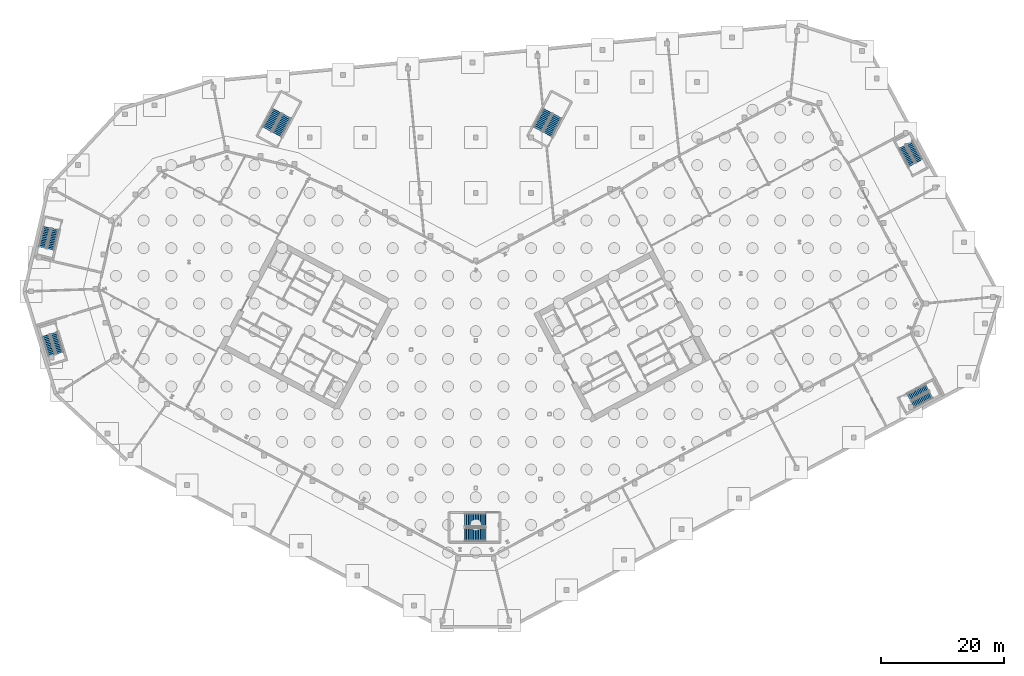
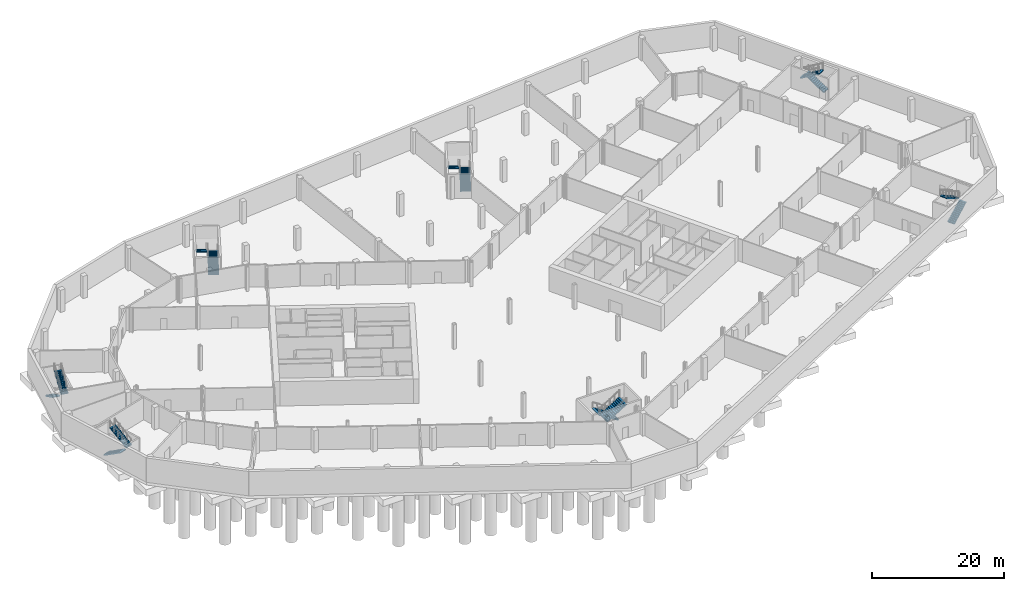
# One storey, part 21 of 29: 14 stair flights, 7 elements without a shape of their own.
"""IFC4 building model written with IfcOpenShell, lengths in metres."""

from ifc_helpers import new_model, si_unit, direction, frame, origin, place, context, subcontext, project, spatial, polyline, outline, extrude, material, layer, layer_set, type_object, element, aggregate, save


model = new_model("IFC4")

# Units and contexts
model_context = context("Model", 3, precision=1e-05, world=origin(), true_north=direction((0.0, 1.0)))
body_context = subcontext(model_context, "Body", "Model", "MODEL_VIEW")
ifc_project = project(units=[si_unit("LENGTHUNIT", "METRE"), si_unit("AREAUNIT", "SQUARE_METRE"), si_unit("VOLUMEUNIT", "CUBIC_METRE"), si_unit("PLANEANGLEUNIT", "RADIAN"), si_unit("MASSUNIT", "GRAM", prefix="KILO")], contexts=[model_context])

# Site, building, storey
site_placement = place(None, origin())
site = spatial("IfcSite", under=ifc_project, at=site_placement, CompositionType="ELEMENT")
building_placement = place(site_placement, origin())
building = spatial("IfcBuilding", under=site, at=building_placement, Name="Cormorant Relay Tower", CompositionType="ELEMENT")
storey_placement = place(building_placement, frame((0.0, 0.0, -9.0)))
storey = spatial("IfcBuildingStorey", under=building, at=storey_placement, Name="B2", CompositionType="ELEMENT", Elevation=-9.0)

# Stair, stair flights
ifc_material_1 = material(Name="Concrete 40 MPa", Category="concrete")
stair_type_1 = type_object("IfcStairType", Name="Exit stair 1200", PredefinedType="HALF_TURN_STAIR", material=ifc_material_1)
stair_1_placement = place(storey_placement, origin())
stair_1 = element("IfcStair", 1, at=stair_1_placement, inside=storey, type_object=stair_type_1, Name="B2 Exit stair", PredefinedType="HALF_TURN_STAIR")
ifc_material_2 = material(Name="Concrete 40 MPa", Category="concrete")
ifc_layer = layer(ifc_material_2, 0.14990234375)
ifc_layer_set = layer_set([ifc_layer], Name="Exit stair flight 1200")
stair_flight_type_1 = type_object("IfcStairFlightType", Name="Exit stair flight 1200", PredefinedType="STRAIGHT", material=ifc_layer_set)
stair_flight_1_placement = place(storey_placement, frame((71.090087890625, 1.556884765625, 0.0), z_axis=(0.0, 0.0, 1.0), x_axis=(0.882947592859, 0.469471562786, 0.0)))
stair_flight_1 = element("IfcStairFlight", 2, at=stair_flight_1_placement, type_object=stair_flight_type_1, Name="X1 flight 1", NumberOfRisers=13, NumberOfTreads=12, PredefinedType="STRAIGHT", RiserHeight=0.173076923, TreadLength=0.28, context=body_context, shape_type="SweptSolid", body=[
    extrude(outline(polyline([(-0.050048828125, -0.080078125), (-0.050048828125, 0.0), (0.0, 0.0), (0.0, 0.173095703125), (0.280029296875, 0.173095703125), (0.280029296875, 0.34619140625), (0.56005859375, 0.34619140625), (0.56005859375, 0.519287109375), (0.840087890625, 0.519287109375), (0.840087890625, 0.6923828125), (1.1201171875, 0.6923828125), (1.1201171875, 0.865478515625), (1.39990234375, 0.865478515625), (1.39990234375, 1.03857421875), (1.679931640625, 1.03857421875), (1.679931640625, 1.21142578125), (1.9599609375, 1.21142578125), (1.9599609375, 1.384521484375), (2.239990234375, 1.384521484375), (2.239990234375, 1.5576171875), (2.52001953125, 1.5576171875), (2.52001953125, 1.730712890625), (2.800048828125, 1.730712890625), (2.800048828125, 1.90380859375), (3.080078125, 1.90380859375), (3.080078125, 2.076904296875), (3.360107421875, 2.076904296875), (3.41015625, 2.076904296875), (3.41015625, 1.900634765625), (3.360107421875, 1.900634765625), (0.28515625, 0.0), (-0.050048828125, -0.080078125)])), frame((0.0, 0.60009765625, 0.0), z_axis=(0.0, -1.0, 0.0), x_axis=(1.0, 0.0, 0.0)), (0.0, 0.0, 1.0), 1.199951171875),
])
stair_flight_2_placement = place(storey_placement, frame((73.4228515625, 4.326416015625, 2.25), z_axis=(0.0, 0.0, 1.0), x_axis=(-0.882947592859, -0.469471562786, 0.0)))
stair_flight_2 = element("IfcStairFlight", 3, at=stair_flight_2_placement, type_object=stair_flight_type_1, Name="X1 flight 2", NumberOfRisers=13, NumberOfTreads=12, PredefinedType="STRAIGHT", RiserHeight=0.173076923, TreadLength=0.28, context=body_context, shape_type="SweptSolid", body=[
    extrude(outline(polyline([(-0.050048828125, -0.080078125), (-0.050048828125, 0.0), (0.0, 0.0), (0.0, 0.173095703125), (0.280029296875, 0.173095703125), (0.280029296875, 0.34619140625), (0.56005859375, 0.34619140625), (0.56005859375, 0.519287109375), (0.840087890625, 0.519287109375), (0.840087890625, 0.6923828125), (1.1201171875, 0.6923828125), (1.1201171875, 0.865478515625), (1.39990234375, 0.865478515625), (1.39990234375, 1.03857421875), (1.679931640625, 1.03857421875), (1.679931640625, 1.21142578125), (1.9599609375, 1.21142578125), (1.9599609375, 1.384521484375), (2.239990234375, 1.384521484375), (2.239990234375, 1.5576171875), (2.52001953125, 1.5576171875), (2.52001953125, 1.730712890625), (2.800048828125, 1.730712890625), (2.800048828125, 1.90380859375), (3.080078125, 1.90380859375), (3.080078125, 2.076904296875), (3.360107421875, 2.076904296875), (3.41015625, 2.076904296875), (3.41015625, 1.900634765625), (3.360107421875, 1.900634765625), (0.28515625, 0.0), (-0.050048828125, -0.080078125)])), frame((0.0, 0.60009765625, 0.0), z_axis=(0.0, -1.0, 0.0), x_axis=(1.0, 0.0, 0.0)), (0.0, 0.0, 1.0), 1.199951171875),
])
aggregate(stair_1, [stair_flight_1, stair_flight_2])

stair_2_placement = place(storey_placement, origin())
stair_2 = element("IfcStair", 4, at=stair_2_placement, inside=storey, type_object=stair_type_1, Name="B2 Exit stair", PredefinedType="HALF_TURN_STAIR")
stair_flight_3_placement = place(storey_placement, frame((72.107666015625, 41.1796875, 0.0), z_axis=(0.0, 0.0, 1.0), x_axis=(-0.469471562786, 0.882947592859, 0.0)))
stair_flight_3 = element("IfcStairFlight", 5, at=stair_flight_3_placement, type_object=stair_flight_type_1, Name="X2 flight 1", NumberOfRisers=13, NumberOfTreads=12, PredefinedType="STRAIGHT", RiserHeight=0.173076923, TreadLength=0.28, context=body_context, shape_type="SweptSolid", body=[
    extrude(outline(polyline([(-0.050048828125, -0.080078125), (-0.050048828125, 0.0), (0.0, 0.0), (0.0, 0.173095703125), (0.280029296875, 0.173095703125), (0.280029296875, 0.34619140625), (0.56005859375, 0.34619140625), (0.56005859375, 0.519287109375), (0.840087890625, 0.519287109375), (0.840087890625, 0.6923828125), (1.1201171875, 0.6923828125), (1.1201171875, 0.865478515625), (1.39990234375, 0.865478515625), (1.39990234375, 1.03857421875), (1.679931640625, 1.03857421875), (1.679931640625, 1.21142578125), (1.9599609375, 1.21142578125), (1.9599609375, 1.384521484375), (2.239990234375, 1.384521484375), (2.239990234375, 1.5576171875), (2.52001953125, 1.5576171875), (2.52001953125, 1.730712890625), (2.800048828125, 1.730712890625), (2.800048828125, 1.90380859375), (3.080078125, 1.90380859375), (3.080078125, 2.076904296875), (3.360107421875, 2.076904296875), (3.41015625, 2.076904296875), (3.41015625, 1.900634765625), (3.360107421875, 1.900634765625), (0.28515625, 0.0), (-0.050048828125, -0.080078125)])), frame((0.0, 0.60009765625, 0.0), z_axis=(0.0, -1.0, 0.0), x_axis=(1.0, 0.0, 0.0)), (0.0, 0.0, 1.0), 1.199951171875),
])
stair_flight_4_placement = place(storey_placement, frame((69.33837890625, 43.5126953125, 2.25), z_axis=(0.0, 0.0, 1.0), x_axis=(0.469471562786, -0.882947592859, 0.0)))
stair_flight_4 = element("IfcStairFlight", 6, at=stair_flight_4_placement, type_object=stair_flight_type_1, Name="X2 flight 2", NumberOfRisers=13, NumberOfTreads=12, PredefinedType="STRAIGHT", RiserHeight=0.173076923, TreadLength=0.28, context=body_context, shape_type="SweptSolid", body=[
    extrude(outline(polyline([(-0.050048828125, -0.080078125), (-0.050048828125, 0.0), (0.0, 0.0), (0.0, 0.173095703125), (0.280029296875, 0.173095703125), (0.280029296875, 0.34619140625), (0.56005859375, 0.34619140625), (0.56005859375, 0.519287109375), (0.840087890625, 0.519287109375), (0.840087890625, 0.6923828125), (1.1201171875, 0.6923828125), (1.1201171875, 0.865478515625), (1.39990234375, 0.865478515625), (1.39990234375, 1.03857421875), (1.679931640625, 1.03857421875), (1.679931640625, 1.21142578125), (1.9599609375, 1.21142578125), (1.9599609375, 1.384521484375), (2.239990234375, 1.384521484375), (2.239990234375, 1.5576171875), (2.52001953125, 1.5576171875), (2.52001953125, 1.730712890625), (2.800048828125, 1.730712890625), (2.800048828125, 1.90380859375), (3.080078125, 1.90380859375), (3.080078125, 2.076904296875), (3.360107421875, 2.076904296875), (3.41015625, 2.076904296875), (3.41015625, 1.900634765625), (3.360107421875, 1.900634765625), (0.28515625, 0.0), (-0.050048828125, -0.080078125)])), frame((0.0, 0.60009765625, 0.0), z_axis=(0.0, -1.0, 0.0), x_axis=(1.0, 0.0, 0.0)), (0.0, 0.0, 1.0), 1.199951171875),
])
aggregate(stair_2, [stair_flight_3, stair_flight_4])

stair_3_placement = place(storey_placement, origin())
stair_3 = element("IfcStair", 7, at=stair_3_placement, inside=storey, type_object=stair_type_1, Name="B2 Exit stair", PredefinedType="HALF_TURN_STAIR")
stair_flight_5_placement = place(storey_placement, frame((-69.705322265625, 30.3720703125, 0.0), z_axis=(0.0, 0.0, 1.0), x_axis=(-0.224951054344, -0.974370064785, 0.0)))
stair_flight_5 = element("IfcStairFlight", 8, at=stair_flight_5_placement, type_object=stair_flight_type_1, Name="X3 flight 1", NumberOfRisers=13, NumberOfTreads=12, PredefinedType="STRAIGHT", RiserHeight=0.173076923, TreadLength=0.28, context=body_context, shape_type="SweptSolid", body=[
    extrude(outline(polyline([(-0.050048828125, -0.080078125), (-0.050048828125, 0.0), (0.0, 0.0), (0.0, 0.173095703125), (0.280029296875, 0.173095703125), (0.280029296875, 0.34619140625), (0.56005859375, 0.34619140625), (0.56005859375, 0.519287109375), (0.840087890625, 0.519287109375), (0.840087890625, 0.6923828125), (1.1201171875, 0.6923828125), (1.1201171875, 0.865478515625), (1.39990234375, 0.865478515625), (1.39990234375, 1.03857421875), (1.679931640625, 1.03857421875), (1.679931640625, 1.21142578125), (1.9599609375, 1.21142578125), (1.9599609375, 1.384521484375), (2.239990234375, 1.384521484375), (2.239990234375, 1.5576171875), (2.52001953125, 1.5576171875), (2.52001953125, 1.730712890625), (2.800048828125, 1.730712890625), (2.800048828125, 1.90380859375), (3.080078125, 1.90380859375), (3.080078125, 2.076904296875), (3.360107421875, 2.076904296875), (3.41015625, 2.076904296875), (3.41015625, 1.900634765625), (3.360107421875, 1.900634765625), (0.28515625, 0.0), (-0.050048828125, -0.080078125)])), frame((0.0, 0.60009765625, 0.0), z_axis=(0.0, -1.0, 0.0), x_axis=(1.0, 0.0, 0.0)), (0.0, 0.0, 1.0), 1.199951171875),
])
stair_flight_6_placement = place(storey_placement, frame((-69.14599609375, 26.79443359375, 2.25), z_axis=(0.0, 0.0, 1.0), x_axis=(0.224951054344, 0.974370064785, 0.0)))
stair_flight_6 = element("IfcStairFlight", 9, at=stair_flight_6_placement, type_object=stair_flight_type_1, Name="X3 flight 2", NumberOfRisers=13, NumberOfTreads=12, PredefinedType="STRAIGHT", RiserHeight=0.173076923, TreadLength=0.28, context=body_context, shape_type="SweptSolid", body=[
    extrude(outline(polyline([(-0.050048828125, -0.080078125), (-0.050048828125, 0.0), (0.0, 0.0), (0.0, 0.173095703125), (0.280029296875, 0.173095703125), (0.280029296875, 0.34619140625), (0.56005859375, 0.34619140625), (0.56005859375, 0.519287109375), (0.840087890625, 0.519287109375), (0.840087890625, 0.6923828125), (1.1201171875, 0.6923828125), (1.1201171875, 0.865478515625), (1.39990234375, 0.865478515625), (1.39990234375, 1.03857421875), (1.679931640625, 1.03857421875), (1.679931640625, 1.21142578125), (1.9599609375, 1.21142578125), (1.9599609375, 1.384521484375), (2.239990234375, 1.384521484375), (2.239990234375, 1.5576171875), (2.52001953125, 1.5576171875), (2.52001953125, 1.730712890625), (2.800048828125, 1.730712890625), (2.800048828125, 1.90380859375), (3.080078125, 1.90380859375), (3.080078125, 2.076904296875), (3.360107421875, 2.076904296875), (3.41015625, 2.076904296875), (3.41015625, 1.900634765625), (3.360107421875, 1.900634765625), (0.28515625, 0.0), (-0.050048828125, -0.080078125)])), frame((0.0, 0.60009765625, 0.0), z_axis=(0.0, -1.0, 0.0), x_axis=(1.0, 0.0, 0.0)), (0.0, 0.0, 1.0), 1.199951171875),
])
aggregate(stair_3, [stair_flight_5, stair_flight_6])

stair_4_placement = place(storey_placement, origin())
stair_4 = element("IfcStair", 10, at=stair_4_placement, inside=storey, type_object=stair_type_1, Name="B2 Exit stair", PredefinedType="HALF_TURN_STAIR")
stair_flight_7_placement = place(storey_placement, frame((-69.893798828125, 12.776611328125, 0.0), z_axis=(0.0, 0.0, 1.0), x_axis=(0.292371704723, -0.956304755963, 0.0)))
stair_flight_7 = element("IfcStairFlight", 11, at=stair_flight_7_placement, type_object=stair_flight_type_1, Name="X4 flight 1", NumberOfRisers=13, NumberOfTreads=12, PredefinedType="STRAIGHT", RiserHeight=0.173076923, TreadLength=0.28, context=body_context, shape_type="SweptSolid", body=[
    extrude(outline(polyline([(-0.050048828125, -0.080078125), (-0.050048828125, 0.0), (0.0, 0.0), (0.0, 0.173095703125), (0.280029296875, 0.173095703125), (0.280029296875, 0.34619140625), (0.56005859375, 0.34619140625), (0.56005859375, 0.519287109375), (0.840087890625, 0.519287109375), (0.840087890625, 0.6923828125), (1.1201171875, 0.6923828125), (1.1201171875, 0.865478515625), (1.39990234375, 0.865478515625), (1.39990234375, 1.03857421875), (1.679931640625, 1.03857421875), (1.679931640625, 1.21142578125), (1.9599609375, 1.21142578125), (1.9599609375, 1.384521484375), (2.239990234375, 1.384521484375), (2.239990234375, 1.5576171875), (2.52001953125, 1.5576171875), (2.52001953125, 1.730712890625), (2.800048828125, 1.730712890625), (2.800048828125, 1.90380859375), (3.080078125, 1.90380859375), (3.080078125, 2.076904296875), (3.360107421875, 2.076904296875), (3.41015625, 2.076904296875), (3.41015625, 1.900634765625), (3.360107421875, 1.900634765625), (0.28515625, 0.0), (-0.050048828125, -0.080078125)])), frame((0.0, 0.60009765625, 0.0), z_axis=(0.0, -1.0, 0.0), x_axis=(1.0, 0.0, 0.0)), (0.0, 0.0, 1.0), 1.199951171875),
])
stair_flight_8_placement = place(storey_placement, frame((-67.620361328125, 9.9580078125, 2.25), z_axis=(0.0, 0.0, 1.0), x_axis=(-0.292371704723, 0.956304755963, 0.0)))
stair_flight_8 = element("IfcStairFlight", 12, at=stair_flight_8_placement, type_object=stair_flight_type_1, Name="X4 flight 2", NumberOfRisers=13, NumberOfTreads=12, PredefinedType="STRAIGHT", RiserHeight=0.173076923, TreadLength=0.28, context=body_context, shape_type="SweptSolid", body=[
    extrude(outline(polyline([(-0.050048828125, -0.080078125), (-0.050048828125, 0.0), (0.0, 0.0), (0.0, 0.173095703125), (0.280029296875, 0.173095703125), (0.280029296875, 0.34619140625), (0.56005859375, 0.34619140625), (0.56005859375, 0.519287109375), (0.840087890625, 0.519287109375), (0.840087890625, 0.6923828125), (1.1201171875, 0.6923828125), (1.1201171875, 0.865478515625), (1.39990234375, 0.865478515625), (1.39990234375, 1.03857421875), (1.679931640625, 1.03857421875), (1.679931640625, 1.21142578125), (1.9599609375, 1.21142578125), (1.9599609375, 1.384521484375), (2.239990234375, 1.384521484375), (2.239990234375, 1.5576171875), (2.52001953125, 1.5576171875), (2.52001953125, 1.730712890625), (2.800048828125, 1.730712890625), (2.800048828125, 1.90380859375), (3.080078125, 1.90380859375), (3.080078125, 2.076904296875), (3.360107421875, 2.076904296875), (3.41015625, 2.076904296875), (3.41015625, 1.900634765625), (3.360107421875, 1.900634765625), (0.28515625, 0.0), (-0.050048828125, -0.080078125)])), frame((0.0, 0.60009765625, 0.0), z_axis=(0.0, -1.0, 0.0), x_axis=(1.0, 0.0, 0.0)), (0.0, 0.0, 1.0), 1.199951171875),
])
aggregate(stair_4, [stair_flight_7, stair_flight_8])

ifc_material_3 = material(Name="Concrete 40 MPa", Category="concrete")
stair_type_2 = type_object("IfcStairType", Name="Exit stair 1500", PredefinedType="HALF_TURN_STAIR", material=ifc_material_3)
stair_5_placement = place(storey_placement, origin())
stair_5 = element("IfcStair", 13, at=stair_5_placement, inside=storey, type_object=stair_type_2, Name="B2 Stair", PredefinedType="HALF_TURN_STAIR")
ifc_material_4 = material(Name="Concrete 40 MPa", Category="concrete")
stair_flight_type_2 = type_object("IfcStairFlightType", Name="Exit stair flight 1650", PredefinedType="STRAIGHT", material=ifc_material_4)
stair_flight_9_placement = place(storey_placement, frame((11.69140625, 45.50244140625, 0.0), z_axis=(0.0, 0.0, 1.0), x_axis=(0.4694717323, 0.882947502727, 0.0)))
stair_flight_9 = element("IfcStairFlight", 14, at=stair_flight_9_placement, type_object=stair_flight_type_2, Name="RN1 flight 1", NumberOfRisers=13, NumberOfTreads=12, PredefinedType="STRAIGHT", RiserHeight=0.173076923, TreadLength=0.28, context=body_context, shape_type="SweptSolid", body=[
    extrude(outline(polyline([(-0.050048828125, -0.080078125), (-0.050048828125, 0.0), (0.0, 0.0), (0.0, 0.173095703125), (0.280029296875, 0.173095703125), (0.280029296875, 0.34619140625), (0.56005859375, 0.34619140625), (0.56005859375, 0.519287109375), (0.840087890625, 0.519287109375), (0.840087890625, 0.6923828125), (1.1201171875, 0.6923828125), (1.1201171875, 0.865478515625), (1.39990234375, 0.865478515625), (1.39990234375, 1.03857421875), (1.679931640625, 1.03857421875), (1.679931640625, 1.21142578125), (1.9599609375, 1.21142578125), (1.9599609375, 1.384521484375), (2.239990234375, 1.384521484375), (2.239990234375, 1.5576171875), (2.52001953125, 1.5576171875), (2.52001953125, 1.730712890625), (2.800048828125, 1.730712890625), (2.800048828125, 1.90380859375), (3.080078125, 1.90380859375), (3.080078125, 2.076904296875), (3.360107421875, 2.076904296875), (3.41015625, 2.076904296875), (3.41015625, 1.900634765625), (3.360107421875, 1.900634765625), (0.28515625, 0.0), (-0.050048828125, -0.080078125)])), frame((0.0, 0.824951171875, 0.0), z_axis=(0.0, -1.0, 0.0), x_axis=(1.0, 0.0, 0.0)), (0.0, 0.0, 1.0), 1.64990234375),
])
stair_flight_10_placement = place(storey_placement, frame((11.679443359375, 49.314208984375, 2.25), z_axis=(0.0, 0.0, 1.0), x_axis=(-0.4694717323, -0.882947502727, 0.0)))
stair_flight_10 = element("IfcStairFlight", 15, at=stair_flight_10_placement, type_object=stair_flight_type_2, Name="RN1 flight 2", NumberOfRisers=13, NumberOfTreads=12, PredefinedType="STRAIGHT", RiserHeight=0.173076923, TreadLength=0.28, context=body_context, shape_type="SweptSolid", body=[
    extrude(outline(polyline([(-0.050048828125, -0.080078125), (-0.050048828125, 0.0), (0.0, 0.0), (0.0, 0.173095703125), (0.280029296875, 0.173095703125), (0.280029296875, 0.34619140625), (0.56005859375, 0.34619140625), (0.56005859375, 0.519287109375), (0.840087890625, 0.519287109375), (0.840087890625, 0.6923828125), (1.1201171875, 0.6923828125), (1.1201171875, 0.865478515625), (1.39990234375, 0.865478515625), (1.39990234375, 1.03857421875), (1.679931640625, 1.03857421875), (1.679931640625, 1.21142578125), (1.9599609375, 1.21142578125), (1.9599609375, 1.384521484375), (2.239990234375, 1.384521484375), (2.239990234375, 1.5576171875), (2.52001953125, 1.5576171875), (2.52001953125, 1.730712890625), (2.800048828125, 1.730712890625), (2.800048828125, 1.90380859375), (3.080078125, 1.90380859375), (3.080078125, 2.076904296875), (3.360107421875, 2.076904296875), (3.41015625, 2.076904296875), (3.41015625, 1.900634765625), (3.360107421875, 1.900634765625), (0.28515625, 0.0), (-0.050048828125, -0.080078125)])), frame((0.0, 0.824951171875, 0.0), z_axis=(0.0, -1.0, 0.0), x_axis=(1.0, 0.0, 0.0)), (0.0, 0.0, 1.0), 1.64990234375),
])
aggregate(stair_5, [stair_flight_9, stair_flight_10])

stair_6_placement = place(storey_placement, origin())
stair_6 = element("IfcStair", 16, at=stair_6_placement, inside=storey, type_object=stair_type_2, Name="B2 Stair", PredefinedType="HALF_TURN_STAIR")
stair_flight_11_placement = place(storey_placement, frame((-32.30859375, 45.50244140625, 0.0), z_axis=(0.0, 0.0, 1.0), x_axis=(0.4694717323, 0.882947502727, 0.0)))
stair_flight_11 = element("IfcStairFlight", 17, at=stair_flight_11_placement, type_object=stair_flight_type_2, Name="RN2 flight 1", NumberOfRisers=13, NumberOfTreads=12, PredefinedType="STRAIGHT", RiserHeight=0.173076923, TreadLength=0.28, context=body_context, shape_type="SweptSolid", body=[
    extrude(outline(polyline([(-0.050048828125, -0.080078125), (-0.050048828125, 0.0), (0.0, 0.0), (0.0, 0.173095703125), (0.280029296875, 0.173095703125), (0.280029296875, 0.34619140625), (0.56005859375, 0.34619140625), (0.56005859375, 0.519287109375), (0.840087890625, 0.519287109375), (0.840087890625, 0.6923828125), (1.1201171875, 0.6923828125), (1.1201171875, 0.865478515625), (1.39990234375, 0.865478515625), (1.39990234375, 1.03857421875), (1.679931640625, 1.03857421875), (1.679931640625, 1.21142578125), (1.9599609375, 1.21142578125), (1.9599609375, 1.384521484375), (2.239990234375, 1.384521484375), (2.239990234375, 1.5576171875), (2.52001953125, 1.5576171875), (2.52001953125, 1.730712890625), (2.800048828125, 1.730712890625), (2.800048828125, 1.90380859375), (3.080078125, 1.90380859375), (3.080078125, 2.076904296875), (3.360107421875, 2.076904296875), (3.41015625, 2.076904296875), (3.41015625, 1.900634765625), (3.360107421875, 1.900634765625), (0.28515625, 0.0), (-0.050048828125, -0.080078125)])), frame((0.0, 0.824951171875, 0.0), z_axis=(0.0, -1.0, 0.0), x_axis=(1.0, 0.0, 0.0)), (0.0, 0.0, 1.0), 1.64990234375),
])
stair_flight_12_placement = place(storey_placement, frame((-32.320556640625, 49.314208984375, 2.25), z_axis=(0.0, 0.0, 1.0), x_axis=(-0.4694717323, -0.882947502727, 0.0)))
stair_flight_12 = element("IfcStairFlight", 18, at=stair_flight_12_placement, type_object=stair_flight_type_2, Name="RN2 flight 2", NumberOfRisers=13, NumberOfTreads=12, PredefinedType="STRAIGHT", RiserHeight=0.173076923, TreadLength=0.28, context=body_context, shape_type="SweptSolid", body=[
    extrude(outline(polyline([(-0.050048828125, -0.080078125), (-0.050048828125, 0.0), (0.0, 0.0), (0.0, 0.173095703125), (0.280029296875, 0.173095703125), (0.280029296875, 0.34619140625), (0.56005859375, 0.34619140625), (0.56005859375, 0.519287109375), (0.840087890625, 0.519287109375), (0.840087890625, 0.6923828125), (1.1201171875, 0.6923828125), (1.1201171875, 0.865478515625), (1.39990234375, 0.865478515625), (1.39990234375, 1.03857421875), (1.679931640625, 1.03857421875), (1.679931640625, 1.21142578125), (1.9599609375, 1.21142578125), (1.9599609375, 1.384521484375), (2.239990234375, 1.384521484375), (2.239990234375, 1.5576171875), (2.52001953125, 1.5576171875), (2.52001953125, 1.730712890625), (2.800048828125, 1.730712890625), (2.800048828125, 1.90380859375), (3.080078125, 1.90380859375), (3.080078125, 2.076904296875), (3.360107421875, 2.076904296875), (3.41015625, 2.076904296875), (3.41015625, 1.900634765625), (3.360107421875, 1.900634765625), (0.28515625, 0.0), (-0.050048828125, -0.080078125)])), frame((0.0, 0.824951171875, 0.0), z_axis=(0.0, -1.0, 0.0), x_axis=(1.0, 0.0, 0.0)), (0.0, 0.0, 1.0), 1.64990234375),
])
aggregate(stair_6, [stair_flight_11, stair_flight_12])

ifc_material_5 = material(Name="Concrete 40 MPa", Category="concrete")
stair_type_3 = type_object("IfcStairType", Name="Remote exit stair 2200", PredefinedType="HALF_TURN_STAIR", material=ifc_material_5)
stair_7_placement = place(storey_placement, origin())
stair_7 = element("IfcStair", 19, at=stair_7_placement, inside=storey, type_object=stair_type_3, Name="B2 Stair", PredefinedType="HALF_TURN_STAIR")
ifc_material_6 = material(Name="Concrete 40 MPa", Category="concrete")
stair_flight_type_3 = type_object("IfcStairFlightType", Name="Remote exit stair flight 2200", PredefinedType="STRAIGHT", material=ifc_material_6)
stair_flight_13_placement = place(storey_placement, frame((1.60009765625, -17.22509765625, 0.0), z_axis=(0.0, 0.0, 1.0), x_axis=(-1.0, 0.0, 0.0)))
stair_flight_13 = element("IfcStairFlight", 20, at=stair_flight_13_placement, type_object=stair_flight_type_3, Name="RK1 flight 1", NumberOfRisers=13, NumberOfTreads=12, PredefinedType="STRAIGHT", RiserHeight=0.173076923, TreadLength=0.28, context=body_context, shape_type="SweptSolid", body=[
    extrude(outline(polyline([(-0.050048828125, -0.080078125), (-0.050048828125, 0.0), (0.0, 0.0), (0.0, 0.173095703125), (0.280029296875, 0.173095703125), (0.280029296875, 0.34619140625), (0.56005859375, 0.34619140625), (0.56005859375, 0.519287109375), (0.840087890625, 0.519287109375), (0.840087890625, 0.6923828125), (1.1201171875, 0.6923828125), (1.1201171875, 0.865478515625), (1.39990234375, 0.865478515625), (1.39990234375, 1.03857421875), (1.679931640625, 1.03857421875), (1.679931640625, 1.21142578125), (1.9599609375, 1.21142578125), (1.9599609375, 1.384521484375), (2.239990234375, 1.384521484375), (2.239990234375, 1.5576171875), (2.52001953125, 1.5576171875), (2.52001953125, 1.730712890625), (2.800048828125, 1.730712890625), (2.800048828125, 1.90380859375), (3.080078125, 1.90380859375), (3.080078125, 2.076904296875), (3.360107421875, 2.076904296875), (3.41015625, 2.076904296875), (3.41015625, 1.900634765625), (3.360107421875, 1.900634765625), (0.28515625, 0.0), (-0.050048828125, -0.080078125)])), frame((0.0, 1.10009765625, 0.0), z_axis=(0.0, -1.0, 0.0), x_axis=(1.0, 0.0, 0.0)), (0.0, 0.0, 1.0), 0.719970703125),
    extrude(outline(polyline([(-0.050048828125, -0.080078125), (-0.050048828125, 0.0), (0.0, 0.0), (0.0, 0.173095703125), (0.280029296875, 0.173095703125), (0.280029296875, 0.34619140625), (0.56005859375, 0.34619140625), (0.56005859375, 0.519287109375), (0.840087890625, 0.519287109375), (0.840087890625, 0.6923828125), (1.1201171875, 0.6923828125), (1.1201171875, 0.865478515625), (1.39990234375, 0.865478515625), (1.39990234375, 1.03857421875), (1.679931640625, 1.03857421875), (1.679931640625, 1.21142578125), (1.9599609375, 1.21142578125), (1.9599609375, 1.384521484375), (2.239990234375, 1.384521484375), (2.239990234375, 1.5576171875), (2.52001953125, 1.5576171875), (2.52001953125, 1.730712890625), (2.800048828125, 1.730712890625), (2.800048828125, 1.90380859375), (3.080078125, 1.90380859375), (3.080078125, 2.076904296875), (3.360107421875, 2.076904296875), (3.41015625, 2.076904296875), (3.41015625, 1.900634765625), (3.360107421875, 1.900634765625), (0.28515625, 0.0), (-0.050048828125, -0.080078125)])), frame((0.0, 0.360107421875, 0.0), z_axis=(0.0, -1.0, 0.0), x_axis=(1.0, 0.0, 0.0)), (0.0, 0.0, 1.0), 0.719970703125),
    extrude(outline(polyline([(-0.050048828125, -0.080078125), (-0.050048828125, 0.0), (0.0, 0.0), (0.0, 0.173095703125), (0.280029296875, 0.173095703125), (0.280029296875, 0.34619140625), (0.56005859375, 0.34619140625), (0.56005859375, 0.519287109375), (0.840087890625, 0.519287109375), (0.840087890625, 0.6923828125), (1.1201171875, 0.6923828125), (1.1201171875, 0.865478515625), (1.39990234375, 0.865478515625), (1.39990234375, 1.03857421875), (1.679931640625, 1.03857421875), (1.679931640625, 1.21142578125), (1.9599609375, 1.21142578125), (1.9599609375, 1.384521484375), (2.239990234375, 1.384521484375), (2.239990234375, 1.5576171875), (2.52001953125, 1.5576171875), (2.52001953125, 1.730712890625), (2.800048828125, 1.730712890625), (2.800048828125, 1.90380859375), (3.080078125, 1.90380859375), (3.080078125, 2.076904296875), (3.360107421875, 2.076904296875), (3.41015625, 2.076904296875), (3.41015625, 1.900634765625), (3.360107421875, 1.900634765625), (0.28515625, 0.0), (-0.050048828125, -0.080078125)])), frame((0.0, -0.3798828125, 0.0), z_axis=(0.0, -1.0, 0.0), x_axis=(1.0, 0.0, 0.0)), (0.0, 0.0, 1.0), 0.719970703125),
])
stair_flight_14_placement = place(storey_placement, frame((-1.760009765625, -19.574951171875, 2.25), z_axis=(0.0, 0.0, 1.0), x_axis=(1.0, 0.0, 0.0)))
stair_flight_14 = element("IfcStairFlight", 21, at=stair_flight_14_placement, type_object=stair_flight_type_3, Name="RK1 flight 2", NumberOfRisers=13, NumberOfTreads=12, PredefinedType="STRAIGHT", RiserHeight=0.173076923, TreadLength=0.28, context=body_context, shape_type="SweptSolid", body=[
    extrude(outline(polyline([(-0.050048828125, -0.080078125), (-0.050048828125, 0.0), (0.0, 0.0), (0.0, 0.173095703125), (0.280029296875, 0.173095703125), (0.280029296875, 0.34619140625), (0.56005859375, 0.34619140625), (0.56005859375, 0.519287109375), (0.840087890625, 0.519287109375), (0.840087890625, 0.6923828125), (1.1201171875, 0.6923828125), (1.1201171875, 0.865478515625), (1.39990234375, 0.865478515625), (1.39990234375, 1.03857421875), (1.679931640625, 1.03857421875), (1.679931640625, 1.21142578125), (1.9599609375, 1.21142578125), (1.9599609375, 1.384521484375), (2.239990234375, 1.384521484375), (2.239990234375, 1.5576171875), (2.52001953125, 1.5576171875), (2.52001953125, 1.730712890625), (2.800048828125, 1.730712890625), (2.800048828125, 1.90380859375), (3.080078125, 1.90380859375), (3.080078125, 2.076904296875), (3.360107421875, 2.076904296875), (3.41015625, 2.076904296875), (3.41015625, 1.900634765625), (3.360107421875, 1.900634765625), (0.28515625, 0.0), (-0.050048828125, -0.080078125)])), frame((0.0, 1.10009765625, 0.0), z_axis=(0.0, -1.0, 0.0), x_axis=(1.0, 0.0, 0.0)), (0.0, 0.0, 1.0), 0.719970703125),
    extrude(outline(polyline([(-0.050048828125, -0.080078125), (-0.050048828125, 0.0), (0.0, 0.0), (0.0, 0.173095703125), (0.280029296875, 0.173095703125), (0.280029296875, 0.34619140625), (0.56005859375, 0.34619140625), (0.56005859375, 0.519287109375), (0.840087890625, 0.519287109375), (0.840087890625, 0.6923828125), (1.1201171875, 0.6923828125), (1.1201171875, 0.865478515625), (1.39990234375, 0.865478515625), (1.39990234375, 1.03857421875), (1.679931640625, 1.03857421875), (1.679931640625, 1.21142578125), (1.9599609375, 1.21142578125), (1.9599609375, 1.384521484375), (2.239990234375, 1.384521484375), (2.239990234375, 1.5576171875), (2.52001953125, 1.5576171875), (2.52001953125, 1.730712890625), (2.800048828125, 1.730712890625), (2.800048828125, 1.90380859375), (3.080078125, 1.90380859375), (3.080078125, 2.076904296875), (3.360107421875, 2.076904296875), (3.41015625, 2.076904296875), (3.41015625, 1.900634765625), (3.360107421875, 1.900634765625), (0.28515625, 0.0), (-0.050048828125, -0.080078125)])), frame((0.0, 0.360107421875, 0.0), z_axis=(0.0, -1.0, 0.0), x_axis=(1.0, 0.0, 0.0)), (0.0, 0.0, 1.0), 0.719970703125),
    extrude(outline(polyline([(-0.050048828125, -0.080078125), (-0.050048828125, 0.0), (0.0, 0.0), (0.0, 0.173095703125), (0.280029296875, 0.173095703125), (0.280029296875, 0.34619140625), (0.56005859375, 0.34619140625), (0.56005859375, 0.519287109375), (0.840087890625, 0.519287109375), (0.840087890625, 0.6923828125), (1.1201171875, 0.6923828125), (1.1201171875, 0.865478515625), (1.39990234375, 0.865478515625), (1.39990234375, 1.03857421875), (1.679931640625, 1.03857421875), (1.679931640625, 1.21142578125), (1.9599609375, 1.21142578125), (1.9599609375, 1.384521484375), (2.239990234375, 1.384521484375), (2.239990234375, 1.5576171875), (2.52001953125, 1.5576171875), (2.52001953125, 1.730712890625), (2.800048828125, 1.730712890625), (2.800048828125, 1.90380859375), (3.080078125, 1.90380859375), (3.080078125, 2.076904296875), (3.360107421875, 2.076904296875), (3.41015625, 2.076904296875), (3.41015625, 1.900634765625), (3.360107421875, 1.900634765625), (0.28515625, 0.0), (-0.050048828125, -0.080078125)])), frame((0.0, -0.3798828125, 0.0), z_axis=(0.0, -1.0, 0.0), x_axis=(1.0, 0.0, 0.0)), (0.0, 0.0, 1.0), 0.719970703125),
])
aggregate(stair_7, [stair_flight_13, stair_flight_14])

save(model, "model.ifc")
